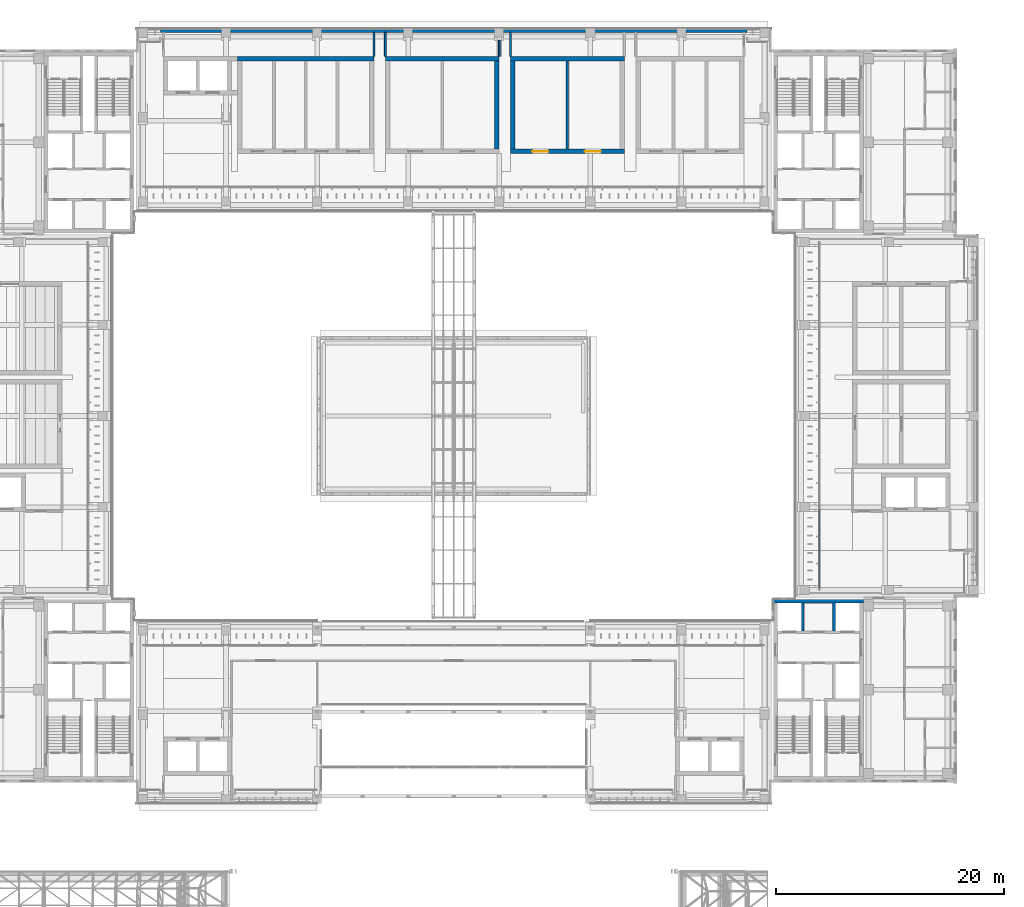
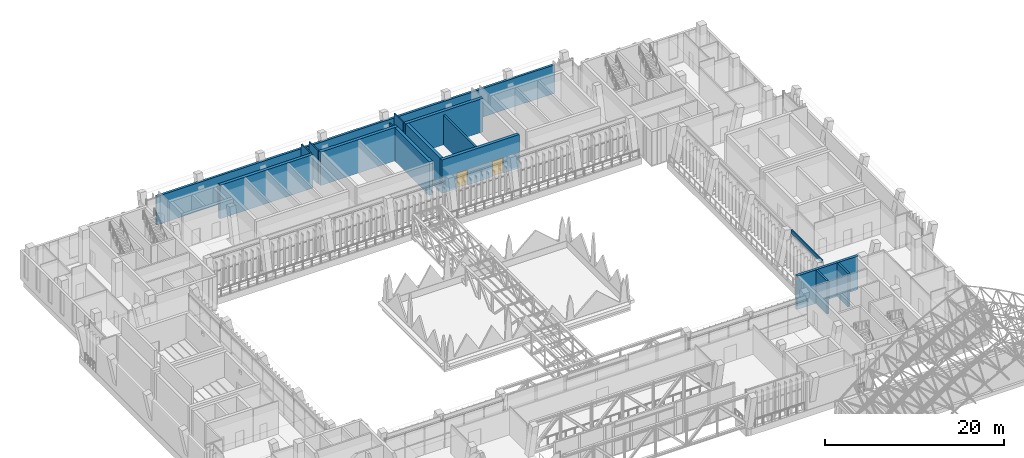
# One storey, part 112 of 141: 16 walls, 2 doors, 2 openings.
"""IFC4 building model written with IfcOpenShell, lengths in metres."""

from ifc_helpers import new_model, si_unit, direction, frame, frame_2d, origin, place, context, subcontext, project, spatial, rectangle, extrude, material, layer, layer_set, type_object, element, fill, save


model = new_model("IFC4")

# Units and contexts
model_context = context("Model", 3, precision=1e-05, world=origin(), true_north=direction((0.0, 1.0)))
body_context = subcontext(model_context, "Body", "Model", "MODEL_VIEW")
ifc_project = project(units=[si_unit("LENGTHUNIT", "METRE"), si_unit("AREAUNIT", "SQUARE_METRE"), si_unit("VOLUMEUNIT", "CUBIC_METRE"), si_unit("PLANEANGLEUNIT", "RADIAN"), si_unit("MASSUNIT", "GRAM", prefix="KILO")], contexts=[model_context])

# Site, building, storey
site_placement = place(None, origin())
site = spatial("IfcSite", under=ifc_project, at=site_placement, CompositionType="ELEMENT")
building_placement = place(site_placement, origin())
building = spatial("IfcBuilding", under=site, at=building_placement, Name="Lantern Court Media Centre", CompositionType="ELEMENT")
storey_placement = place(building_placement, frame((0.0, 0.0, 9.60009765625)))
storey = spatial("IfcBuildingStorey", under=building, at=storey_placement, Name="L02", CompositionType="ELEMENT", Elevation=9.60009765625)

# Walls
ifc_material_1 = material(Name="Insulated rendered blockwork", Category="masonry")
ifc_layer_1 = layer(ifc_material_1, 0.14990234375)
ifc_layer_set_1 = layer_set([ifc_layer_1], Name="Insulated rendered blockwork")
wall_type_1 = type_object("IfcWallType", Name="Head infill wall 150", PredefinedType="SOLIDWALL", material=ifc_layer_set_1)
wall_1_placement = place(storey_placement, frame((84.14990234375, 64.89990234375, 4.099853515625), z_axis=(0.0, 0.0, 1.0), x_axis=(0.0, 1.0, 0.0)))
element("IfcWall", 1, at=wall_1_placement, inside=storey, type_object=wall_type_1, Name="Head infill wall E inner L02", PredefinedType="SOLIDWALL", context=body_context, shape_type="SweptSolid", body=[
    extrude(rectangle(XDim=6.900146484375, YDim=0.14990234375, at=frame_2d((3.4501953125, 0.0))), origin(), (0.0, 0.0, 1.0), 0.47998046875),
])
ifc_material_2 = material(Name="Honed limestone cladding on blockwork", Category="masonry")
ifc_layer_2 = layer(ifc_material_2, 0.300048828125)
ifc_layer_set_2 = layer_set([ifc_layer_2], Name="Honed limestone cladding on blockwork")
wall_type_2 = type_object("IfcWallType", Name="Limestone flank wall 300", PredefinedType="SOLIDWALL", material=ifc_layer_set_2)
wall_2_placement = place(storey_placement, frame((26.25, 113.85009765625, 0.0), z_axis=(0.0, 0.0, 1.0), x_axis=(1.0, 0.0, 0.0)))
element("IfcWall", 2, at=wall_2_placement, inside=storey, type_object=wall_type_2, Name="Limestone flank wall N outer L02", PredefinedType="SOLIDWALL", context=body_context, shape_type="SweptSolid", body=[
    extrude(rectangle(XDim=51.5, YDim=0.300048828125, at=frame_2d((25.75, 0.0))), origin(), (0.0, 0.0, 1.0), 3.89990234375),
])
ifc_material_3 = material(Name="Concrete C40", Category="concrete")
ifc_layer_3 = layer(ifc_material_3, 0.35009765625)
ifc_layer_set_3 = layer_set([ifc_layer_3], Name="Concrete C40")
wall_type_3 = type_object("IfcWallType", Name="RC CORE WALL 350", PredefinedType="SHEAR", material=ifc_layer_set_3)
wall_3_placement = place(storey_placement, frame((80.10009765625, 63.72509765625, 0.0), z_axis=(0.0, 0.0, 1.0), x_axis=(1.0, 0.0, 0.0)))
element("IfcWall", 3, at=wall_3_placement, inside=storey, type_object=wall_type_3, Name="WC-SE-L02-N", PredefinedType="SHEAR", context=body_context, shape_type="SweptSolid", body=[
    extrude(rectangle(XDim=7.89990234375, YDim=0.35009765625, at=frame_2d((3.949951171875, 0.0))), origin(), (0.0, 0.0, 1.0), 4.579833984375),
])
ifc_layer_4 = layer(ifc_material_3, 0.39990234375)
ifc_layer_set_4 = layer_set([ifc_layer_4], Name="Concrete C40")
wall_type_4 = type_object("IfcWallType", Name="RC SHEAR WALL 400", PredefinedType="SHEAR", material=ifc_layer_set_4)
wall_4_placement = place(storey_placement, frame((33.0, 111.39990234375, 0.0), z_axis=(0.0, 0.0, 1.0), x_axis=(1.0, 0.0, 0.0)))
element("IfcWall", 4, at=wall_4_placement, inside=storey, type_object=wall_type_4, Name="WB-N-EDA-L02-N", PredefinedType="SHEAR", context=body_context, shape_type="SweptSolid", body=[
    extrude(rectangle(XDim=12.0, YDim=0.39990234375, at=frame_2d((6.0, 0.0))), origin(), (0.0, 0.0, 1.0), 4.579833984375),
])
wall_5_placement = place(storey_placement, frame((46.0, 111.39990234375, 0.0), z_axis=(0.0, 0.0, 1.0), x_axis=(1.0, 0.0, 0.0)))
element("IfcWall", 5, at=wall_5_placement, inside=storey, type_object=wall_type_4, Name="WB-N-MIX-L02-N", PredefinedType="SHEAR", context=body_context, shape_type="SweptSolid", body=[
    extrude(rectangle(XDim=10.0, YDim=0.39990234375, at=frame_2d((5.0, 0.0))), origin(), (0.0, 0.0, 1.0), 4.579833984375),
])
wall_6_placement = place(storey_placement, frame((55.800048828125, 103.449951171875, 0.0), z_axis=(0.0, 0.0, 1.0), x_axis=(0.0, 1.0, 0.0)))
element("IfcWall", 6, at=wall_6_placement, inside=storey, type_object=wall_type_4, Name="WB-N-MIX-L02-E", PredefinedType="SHEAR", context=body_context, shape_type="SweptSolid", body=[
    extrude(rectangle(XDim=7.75, YDim=0.39990234375, at=frame_2d((3.875, 0.0))), origin(), (0.0, 0.0, 1.0), 4.579833984375),
])

# Wall, openings, doors
wall_7_placement = place(storey_placement, frame((57.0, 103.25, 0.0), z_axis=(0.0, 0.0, 1.0), x_axis=(1.0, 0.0, 0.0)))
wall_7 = element("IfcWall", 7, at=wall_7_placement, inside=storey, type_object=wall_type_4, Name="WB-N-SRV-L02-S", PredefinedType="SHEAR", context=body_context, shape_type="SweptSolid", body=[
    extrude(rectangle(XDim=10.0, YDim=0.39990234375, at=frame_2d((5.0, 0.0))), origin(), (0.0, 0.0, 1.0), 4.579833984375),
])
opening_1_placement = place(wall_7_placement, frame((1.925048828125, 0.0, 0.0)))
opening_1 = element("IfcOpeningElement", 8, at=opening_1_placement, cuts=wall_7, Name="Opening L02-013", PredefinedType="OPENING", context=body_context, shape_type="SweptSolid", body=[
    extrude(rectangle(XDim=1.39990234375, YDim=2.10009765625, at=frame_2d((0.699951171875, 1.050048828125))), frame((0.0, 0.2099609375, 0.0), z_axis=(0.0, -1.0, 0.0), x_axis=(1.0, 0.0, 0.0)), (0.0, 0.0, 1.0), 0.419921875),
])
opening_2_placement = place(wall_7_placement, frame((6.52490234375, 0.0, 0.0)))
opening_2 = element("IfcOpeningElement", 9, at=opening_2_placement, cuts=wall_7, Name="Opening L02-014", PredefinedType="OPENING", context=body_context, shape_type="SweptSolid", body=[
    extrude(rectangle(XDim=1.39990234375, YDim=2.10009765625, at=frame_2d((0.699951171875, 1.050048828125))), frame((0.0, 0.2099609375, 0.0), z_axis=(0.0, -1.0, 0.0), x_axis=(1.0, 0.0, 0.0)), (0.0, 0.0, 1.0), 0.419921875),
])
ifc_material_4 = material(Name="Steel door leaf", Category="steel")
door_type = type_object("IfcDoorType", Name="Server hall fire door 1400x2100", OperationType="NOTDEFINED", PredefinedType="DOOR", material=ifc_material_4)
door_1_placement = place(opening_1_placement, origin())
door_1 = element("IfcDoor", 10, at=door_1_placement, inside=storey, type_object=door_type, Name="L02 Server Room 03 door", OperationType="SINGLE_SWING_RIGHT", OverallHeight=2.10009765625, OverallWidth=1.39990234375, PredefinedType="DOOR", context=body_context, shape_type="SweptSolid", body=[
    extrude(rectangle(XDim=1.39990234375, YDim=2.10009765625, at=frame_2d((0.699951171875, 1.050048828125))), frame((0.0, 0.02490234375, 0.0), z_axis=(0.0, -1.0, 0.0), x_axis=(1.0, 0.0, 0.0)), (0.0, 0.0, 1.0), 0.050048828125),
])
fill(opening_1, door_1)
door_2_placement = place(opening_2_placement, origin())
door_2 = element("IfcDoor", 11, at=door_2_placement, inside=storey, type_object=door_type, Name="L02 Render Room 03 door", OperationType="SINGLE_SWING_LEFT", OverallHeight=2.10009765625, OverallWidth=1.39990234375, PredefinedType="DOOR", context=body_context, shape_type="SweptSolid", body=[
    extrude(rectangle(XDim=1.39990234375, YDim=2.10009765625, at=frame_2d((0.699951171875, 1.050048828125))), frame((0.0, 0.02490234375, 0.0), z_axis=(0.0, -1.0, 0.0), x_axis=(1.0, 0.0, 0.0)), (0.0, 0.0, 1.0), 0.050048828125),
])
fill(opening_2, door_2)

# Walls
wall_8_placement = place(storey_placement, frame((57.0, 111.39990234375, 0.0), z_axis=(0.0, 0.0, 1.0), x_axis=(1.0, 0.0, 0.0)))
element("IfcWall", 12, at=wall_8_placement, inside=storey, type_object=wall_type_4, Name="WB-N-SRV-L02-N", PredefinedType="SHEAR", context=body_context, shape_type="SweptSolid", body=[
    extrude(rectangle(XDim=10.0, YDim=0.39990234375, at=frame_2d((5.0, 0.0))), origin(), (0.0, 0.0, 1.0), 4.579833984375),
])
wall_9_placement = place(storey_placement, frame((57.199951171875, 103.449951171875, 0.0), z_axis=(0.0, 0.0, 1.0), x_axis=(0.0, 1.0, 0.0)))
element("IfcWall", 13, at=wall_9_placement, inside=storey, type_object=wall_type_4, Name="WB-N-SRV-L02-W", PredefinedType="SHEAR", context=body_context, shape_type="SweptSolid", body=[
    extrude(rectangle(XDim=7.75, YDim=0.39990234375, at=frame_2d((3.875, 0.0))), origin(), (0.0, 0.0, 1.0), 4.579833984375),
])
ifc_layer_5 = layer(ifc_material_3, 0.25)
ifc_layer_set_5 = layer_set([ifc_layer_5], Name="Concrete C40")
wall_type_5 = type_object("IfcWallType", Name="RC lift shaft wall 250", PredefinedType="SOLIDWALL", material=ifc_layer_set_5)
for number, where, z_axis, x_axis, name in (
    (14, (85.425048828125, 61.10009765625, 0.0), (0.0, 0.0, 1.0), (0.0, 1.0, 0.0), "L02 SE L1b"),
    (15, (82.675048828125, 61.10009765625, 0.0), (0.0, 0.0, 1.0), (0.0, 1.0, 0.0), "L02 SE L2b"),
):
    element("IfcWall", number, at=place(storey_placement, frame(where, z_axis=z_axis, x_axis=x_axis)), inside=storey, type_object=wall_type_5, Name=name, PredefinedType="SOLIDWALL", context=body_context, shape_type="SweptSolid", body=[
        extrude(rectangle(XDim=2.449951171875, YDim=0.25, at=frame_2d((1.22509765625, 0.0))), origin(), (0.0, 0.0, 1.0), 4.5498046875),
    ])
ifc_material_5 = material(Name="Fire-rated gypsum board")
ifc_layer_6 = layer(ifc_material_5, 0.159912109375)
ifc_layer_set_6 = layer_set([ifc_layer_6], Name="Fire-rated gypsum board")
wall_type_6 = type_object("IfcWallType", Name="Riser shaft liner wall 160", PredefinedType="PARTITIONING", material=ifc_layer_set_6)
wall_10_placement = place(storey_placement, frame((45.0, 111.60498046875, 0.0), z_axis=(0.0, 0.0, 1.0), x_axis=(0.0, 1.0, 0.0)))
element("IfcWall", 16, at=wall_10_placement, inside=storey, type_object=wall_type_6, Name="L02 partition 014", PredefinedType="PARTITIONING", context=body_context, shape_type="SweptSolid", body=[
    extrude(rectangle(XDim=2.090087890625, YDim=0.159912109375, at=frame_2d((1.044921875, 0.0))), origin(), (0.0, 0.0, 1.0), 4.559814453125),
])
wall_11_placement = place(storey_placement, frame((56.0, 111.60498046875, 0.0), z_axis=(0.0, 0.0, 1.0), x_axis=(0.0, 1.0, 0.0)))
element("IfcWall", 17, at=wall_11_placement, inside=storey, type_object=wall_type_6, Name="L02 partition 016", PredefinedType="PARTITIONING", context=body_context, shape_type="SweptSolid", body=[
    extrude(rectangle(XDim=1.39013671875, YDim=0.159912109375, at=frame_2d((0.695068359375, 0.0))), origin(), (0.0, 0.0, 1.0), 3.97998046875),
])
for number, where, z_axis, x_axis, name in (
    (18, (46.0, 111.60498046875, 0.0), (0.0, 0.0, 1.0), (0.0, 1.0, 0.0), "L02 partition 017"),
    (19, (57.0, 111.60498046875, 0.0), (0.0, 0.0, 1.0), (0.0, 1.0, 0.0), "L02 partition 019"),
):
    element("IfcWall", number, at=place(storey_placement, frame(where, z_axis=z_axis, x_axis=x_axis)), inside=storey, type_object=wall_type_6, Name=name, PredefinedType="PARTITIONING", context=body_context, shape_type="SweptSolid", body=[
        extrude(rectangle(XDim=2.090087890625, YDim=0.159912109375, at=frame_2d((1.044921875, 0.0))), origin(), (0.0, 0.0, 1.0), 4.559814453125),
    ])
ifc_layer_7 = layer(ifc_material_5, 0.219970703125)
ifc_layer_set_7 = layer_set([ifc_layer_7], Name="Fire-rated gypsum board")
wall_type_7 = type_object("IfcWallType", Name="Server room fire wall 220", PredefinedType="PARTITIONING", material=ifc_layer_set_7)
wall_12_placement = place(storey_placement, frame((62.0, 103.455078125, 0.0), z_axis=(0.0, 0.0, 1.0), x_axis=(0.0, 1.0, 0.0)))
element("IfcWall", 20, at=wall_12_placement, inside=storey, type_object=wall_type_7, Name="L02 partition 018", PredefinedType="PARTITIONING", context=body_context, shape_type="SweptSolid", body=[
    extrude(rectangle(XDim=7.739990234375, YDim=0.219970703125, at=frame_2d((3.8701171875, 0.0))), origin(), (0.0, 0.0, 1.0), 4.079833984375),
])

save(model, "model.ifc")
